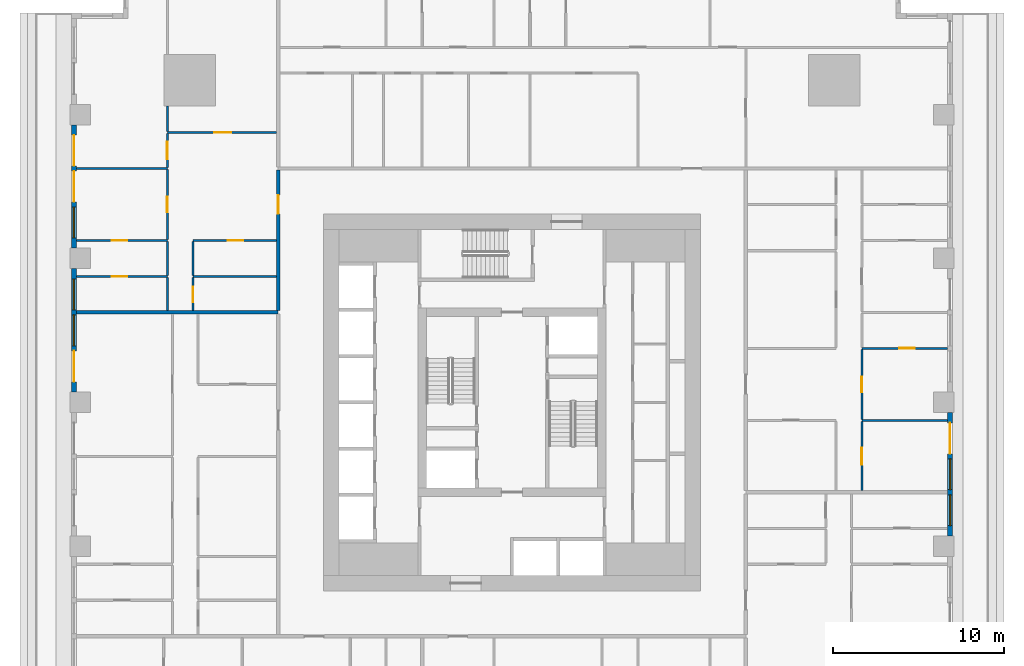
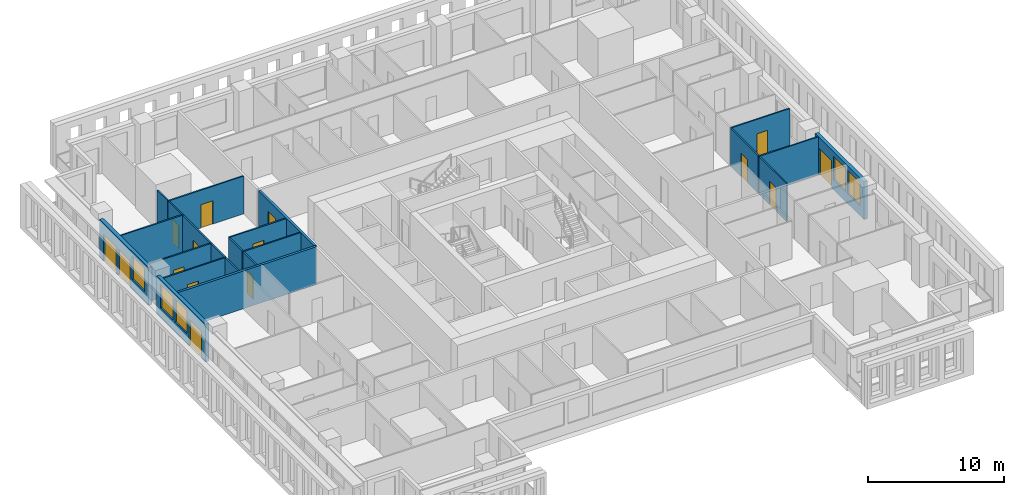
# One storey, part 6 of 14: 22 walls, 15 doors, 5 windows, 20 openings.
"""IFC4 building model written with IfcOpenShell, lengths in metres."""

from ifc_helpers import new_model, si_unit, direction, frame, frame_2d, origin, place, context, subcontext, project, spatial, rectangle, extrude, material, layer, layer_set, type_object, element, fill, save


model = new_model("IFC4")

# Units and contexts
model_context = context("Model", 3, precision=1e-05, world=origin(), true_north=direction((0.0, 1.0)))
body_context = subcontext(model_context, "Body", "Model", "MODEL_VIEW")
ifc_project = project(units=[si_unit("LENGTHUNIT", "METRE"), si_unit("AREAUNIT", "SQUARE_METRE"), si_unit("VOLUMEUNIT", "CUBIC_METRE"), si_unit("PLANEANGLEUNIT", "RADIAN"), si_unit("MASSUNIT", "GRAM", prefix="KILO")], contexts=[model_context])

# Site, building, storey
site_placement = place(None, origin())
site = spatial("IfcSite", under=ifc_project, at=site_placement, CompositionType="ELEMENT")
building_placement = place(site_placement, origin())
building = spatial("IfcBuilding", under=site, at=building_placement, Name="Khepri Terraces", CompositionType="ELEMENT")
storey_placement = place(building_placement, frame((0.0, 0.0, 69.89990234375)))
storey = spatial("IfcBuildingStorey", under=building, at=storey_placement, Name="L16", CompositionType="ELEMENT", Elevation=69.89990234375)

# Wall
ifc_material_1 = material(Name="Fire-rated gypsum plasterboard partition, mineral wool")
ifc_layer_1 = layer(ifc_material_1, 0.199951171875, Name="Fire-rated gypsum plasterboard partition, mineral wool")
ifc_layer_set_1 = layer_set([ifc_layer_1], Name="Fire-rated gypsum plasterboard partition, mineral wool")
wall_type_1 = type_object("IfcWallType", Name="WL-CORR-200", PredefinedType="PARTITIONING", material=ifc_layer_set_1)
wall_1_placement = place(storey_placement, frame((-25.419921875, 5.25, 0.0), z_axis=(0.0, 0.0, 1.0), x_axis=(1.0, 0.0, 0.0)))
element("IfcWall", 1, at=wall_1_placement, inside=storey, type_object=wall_type_1, Name="Partition P-057 L16", PredefinedType="PARTITIONING", context=body_context, shape_type="SweptSolid", body=[
    extrude(rectangle(XDim=11.77001953125, YDim=0.199951171875, at=frame_2d((5.885009765625, 0.0))), origin(), (0.0, 0.0, 1.0), 3.400146484375),
])

# Wall, opening, door
wall_2_placement = place(storey_placement, frame((-13.64990234375, 5.35009765625, 0.0), z_axis=(0.0, 0.0, 1.0), x_axis=(0.0, 1.0, 0.0)))
wall_2 = element("IfcWall", 2, at=wall_2_placement, inside=storey, type_object=wall_type_1, Name="Partition P-062 L16", PredefinedType="PARTITIONING", context=body_context, shape_type="SweptSolid", body=[
    extrude(rectangle(XDim=8.199951171875, YDim=0.199951171875, at=frame_2d((4.10009765625, 0.0))), origin(), (0.0, 0.0, 1.0), 3.400146484375),
])
opening_1_placement = place(wall_2_placement, frame((5.64990234375, 0.0, 0.0)))
opening_1 = element("IfcOpeningElement", 3, at=opening_1_placement, cuts=wall_2, Name="Opening D1", PredefinedType="OPENING", context=body_context, shape_type="SweptSolid", body=[
    extrude(rectangle(XDim=1.10009765625, YDim=2.39990234375, at=frame_2d((0.550048828125, 1.199951171875))), frame((0.0, 0.10986328125, 0.0), z_axis=(0.0, -1.0, 0.0), x_axis=(1.0, 0.0, 0.0)), (0.0, 0.0, 1.0), 0.219970703125),
])
ifc_material_2 = material(Name="Solid-core timber door leaf, flat entrance door", Category="wood")
door_type_1 = type_object("IfcDoorType", Name="DR-ENT-1100", OperationType="NOTDEFINED", PredefinedType="DOOR", material=ifc_material_2)
door_1_placement = place(opening_1_placement, origin())
door_1 = element("IfcDoor", 4, at=door_1_placement, inside=storey, type_object=door_type_1, Name="Flat D1 entrance door", OperationType="SINGLE_SWING_RIGHT", OverallHeight=2.39990234375, OverallWidth=1.10009765625, PredefinedType="DOOR", context=body_context, shape_type="SweptSolid", body=[
    extrude(rectangle(XDim=1.10009765625, YDim=2.39990234375, at=frame_2d((0.550048828125, 1.199951171875))), frame((0.0, 0.02490234375, 0.0), z_axis=(0.0, -1.0, 0.0), x_axis=(1.0, 0.0, 0.0)), (0.0, 0.0, 1.0), 0.050048828125),
])
fill(opening_1, door_1)

# Wall, openings, door, windows
ifc_material_3 = material(Name="Precast concrete C50/60 warm stone", Category="masonry")
ifc_layer_2 = layer(ifc_material_3, 0.300048828125, Name="Precast concrete C50/60 warm stone", Category="masonry")
ifc_layer_set_2 = layer_set([ifc_layer_2], Name="Precast concrete C50/60 warm stone")
wall_type_2 = type_object("IfcWallType", Name="WL-EXT-PRECAST-300", PredefinedType="STANDARD", material=ifc_layer_set_2)
wall_3_placement = place(storey_placement, frame((25.570068359375, -7.800048828125, 0.0), z_axis=(0.0, 0.0, 1.0), x_axis=(0.0, 1.0, 0.0)))
wall_3 = element("IfcWall", 5, at=wall_3_placement, inside=storey, type_object=wall_type_2, Name="External wall L16 E", PredefinedType="STANDARD", context=body_context, shape_type="SweptSolid", body=[
    extrude(rectangle(XDim=7.199951171875, YDim=0.300048828125, at=frame_2d((3.60009765625, 0.0))), origin(), (0.0, 0.0, 1.0), 3.400146484375),
])
opening_2_placement = place(wall_3_placement, frame((0.60009765625, 0.0, 0.89990234375)))
opening_2 = element("IfcOpeningElement", 6, at=opening_2_placement, cuts=wall_3, Name="Opening W1", PredefinedType="OPENING", context=body_context, shape_type="SweptSolid", body=[
    extrude(rectangle(XDim=1.800048828125, YDim=2.10009765625, at=frame_2d((0.89990234375, 1.050048828125))), frame((0.0, 0.16015625, 0.0), z_axis=(0.0, -1.0, 0.0), x_axis=(1.0, 0.0, 0.0)), (0.0, 0.0, 1.0), 0.320068359375),
])
opening_3_placement = place(wall_3_placement, frame((2.699951171875, 0.0, 0.89990234375)))
opening_3 = element("IfcOpeningElement", 7, at=opening_3_placement, cuts=wall_3, Name="Opening W1", PredefinedType="OPENING", context=body_context, shape_type="SweptSolid", body=[
    extrude(rectangle(XDim=1.800048828125, YDim=2.10009765625, at=frame_2d((0.89990234375, 1.050048828125))), frame((0.0, 0.16015625, 0.0), z_axis=(0.0, -1.0, 0.0), x_axis=(1.0, 0.0, 0.0)), (0.0, 0.0, 1.0), 0.320068359375),
])
opening_4_placement = place(wall_3_placement, frame((4.800048828125, 0.0, 0.0)))
opening_4 = element("IfcOpeningElement", 8, at=opening_4_placement, cuts=wall_3, Name="Opening ED-L16-04", PredefinedType="OPENING", context=body_context, shape_type="SweptSolid", body=[
    extrude(rectangle(XDim=1.800048828125, YDim=2.39990234375, at=frame_2d((0.89990234375, 1.199951171875))), frame((0.0, 0.16015625, 0.0), z_axis=(0.0, -1.0, 0.0), x_axis=(1.0, 0.0, 0.0)), (0.0, 0.0, 1.0), 0.320068359375),
])
ifc_material_4 = material(Name="Anodised aluminium bronze glazed door", Category="aluminium")
door_type_2 = type_object("IfcDoorType", Name="DR-BAL-SLIDE-1800x2400", OperationType="NOTDEFINED", PredefinedType="DOOR", material=ifc_material_4)
door_2_placement = place(opening_4_placement, origin())
door_2 = element("IfcDoor", 9, at=door_2_placement, inside=storey, type_object=door_type_2, Name="Balcony door L16 E", OperationType="SLIDING_TO_RIGHT", OverallHeight=2.39990234375, OverallWidth=1.800048828125, PredefinedType="DOOR", context=body_context, shape_type="SweptSolid", body=[
    extrude(rectangle(XDim=1.800048828125, YDim=2.39990234375, at=frame_2d((0.89990234375, 1.199951171875))), frame((0.0, 0.02490234375, 0.0), z_axis=(0.0, -1.0, 0.0), x_axis=(1.0, 0.0, 0.0)), (0.0, 0.0, 1.0), 0.050048828125),
])
fill(opening_4, door_2)
ifc_material_5 = material(Name="Clear glass", Category="glass")
window_type = type_object("IfcWindowType", Name="WIN-RES-1800x2100", PartitioningType="SINGLE_PANEL", PredefinedType="WINDOW", material=ifc_material_5)
window_1_placement = place(opening_2_placement, origin())
window_1 = element("IfcWindow", 10, at=window_1_placement, inside=storey, type_object=window_type, Name="Window L16 E", OverallHeight=2.10009765625, OverallWidth=1.800048828125, PartitioningType="SINGLE_PANEL", PredefinedType="WINDOW", context=body_context, shape_type="SweptSolid", body=[
    extrude(rectangle(XDim=1.800048828125, YDim=2.10009765625, at=frame_2d((0.89990234375, 1.050048828125))), frame((0.0, 0.030029296875, 0.0), z_axis=(0.0, -1.0, 0.0), x_axis=(1.0, 0.0, 0.0)), (0.0, 0.0, 1.0), 0.06005859375),
])
fill(opening_2, window_1)
window_2_placement = place(opening_3_placement, origin())
window_2 = element("IfcWindow", 11, at=window_2_placement, inside=storey, type_object=window_type, Name="Window L16 E", OverallHeight=2.10009765625, OverallWidth=1.800048828125, PartitioningType="SINGLE_PANEL", PredefinedType="WINDOW", context=body_context, shape_type="SweptSolid", body=[
    extrude(rectangle(XDim=1.800048828125, YDim=2.10009765625, at=frame_2d((0.89990234375, 1.050048828125))), frame((0.0, 0.030029296875, 0.0), z_axis=(0.0, -1.0, 0.0), x_axis=(1.0, 0.0, 0.0)), (0.0, 0.0, 1.0), 0.06005859375),
])
fill(opening_3, window_2)

# Wall, openings, doors, window
wall_4_placement = place(storey_placement, frame((-25.570068359375, 16.199951171875, 0.0), z_axis=(0.0, 0.0, 1.0), x_axis=(0.0, -1.0, 0.0)))
wall_4 = element("IfcWall", 12, at=wall_4_placement, inside=storey, type_object=wall_type_2, Name="External wall L16 W", PredefinedType="STANDARD", context=body_context, shape_type="SweptSolid", body=[
    extrude(rectangle(XDim=7.199951171875, YDim=0.300048828125, at=frame_2d((3.60009765625, 0.0))), origin(), (0.0, 0.0, 1.0), 3.400146484375),
])
opening_5_placement = place(wall_4_placement, frame((0.60009765625, 0.0, 0.0)))
opening_5 = element("IfcOpeningElement", 13, at=opening_5_placement, cuts=wall_4, Name="Opening ED-L16-13", PredefinedType="OPENING", context=body_context, shape_type="SweptSolid", body=[
    extrude(rectangle(XDim=1.800048828125, YDim=2.39990234375, at=frame_2d((0.89990234375, 1.199951171875))), frame((0.0, 0.16015625, 0.0), z_axis=(0.0, -1.0, 0.0), x_axis=(1.0, 0.0, 0.0)), (0.0, 0.0, 1.0), 0.320068359375),
])
opening_6_placement = place(wall_4_placement, frame((2.699951171875, 0.0, 0.0)))
opening_6 = element("IfcOpeningElement", 14, at=opening_6_placement, cuts=wall_4, Name="Opening ED-L16-14", PredefinedType="OPENING", context=body_context, shape_type="SweptSolid", body=[
    extrude(rectangle(XDim=1.800048828125, YDim=2.39990234375, at=frame_2d((0.89990234375, 1.199951171875))), frame((0.0, 0.16015625, 0.0), z_axis=(0.0, -1.0, 0.0), x_axis=(1.0, 0.0, 0.0)), (0.0, 0.0, 1.0), 0.320068359375),
])
opening_7_placement = place(wall_4_placement, frame((4.800048828125, 0.0, 0.89990234375)))
opening_7 = element("IfcOpeningElement", 15, at=opening_7_placement, cuts=wall_4, Name="Opening W1", PredefinedType="OPENING", context=body_context, shape_type="SweptSolid", body=[
    extrude(rectangle(XDim=1.800048828125, YDim=2.10009765625, at=frame_2d((0.89990234375, 1.050048828125))), frame((0.0, 0.16015625, 0.0), z_axis=(0.0, -1.0, 0.0), x_axis=(1.0, 0.0, 0.0)), (0.0, 0.0, 1.0), 0.320068359375),
])
door_3_placement = place(opening_5_placement, origin())
door_3 = element("IfcDoor", 16, at=door_3_placement, inside=storey, type_object=door_type_2, Name="Balcony door L16 W", OperationType="SLIDING_TO_LEFT", OverallHeight=2.39990234375, OverallWidth=1.800048828125, PredefinedType="DOOR", context=body_context, shape_type="SweptSolid", body=[
    extrude(rectangle(XDim=1.800048828125, YDim=2.39990234375, at=frame_2d((0.89990234375, 1.199951171875))), frame((0.0, 0.02490234375, 0.0), z_axis=(0.0, -1.0, 0.0), x_axis=(1.0, 0.0, 0.0)), (0.0, 0.0, 1.0), 0.050048828125),
])
fill(opening_5, door_3)
door_4_placement = place(opening_6_placement, origin())
door_4 = element("IfcDoor", 17, at=door_4_placement, inside=storey, type_object=door_type_2, Name="Balcony door L16 W", OperationType="SLIDING_TO_RIGHT", OverallHeight=2.39990234375, OverallWidth=1.800048828125, PredefinedType="DOOR", context=body_context, shape_type="SweptSolid", body=[
    extrude(rectangle(XDim=1.800048828125, YDim=2.39990234375, at=frame_2d((0.89990234375, 1.199951171875))), frame((0.0, 0.02490234375, 0.0), z_axis=(0.0, -1.0, 0.0), x_axis=(1.0, 0.0, 0.0)), (0.0, 0.0, 1.0), 0.050048828125),
])
fill(opening_6, door_4)
window_3_placement = place(opening_7_placement, origin())
window_3 = element("IfcWindow", 18, at=window_3_placement, inside=storey, type_object=window_type, Name="Window L16 W", OverallHeight=2.10009765625, OverallWidth=1.800048828125, PartitioningType="SINGLE_PANEL", PredefinedType="WINDOW", context=body_context, shape_type="SweptSolid", body=[
    extrude(rectangle(XDim=1.800048828125, YDim=2.10009765625, at=frame_2d((0.89990234375, 1.050048828125))), frame((0.0, 0.030029296875, 0.0), z_axis=(0.0, -1.0, 0.0), x_axis=(1.0, 0.0, 0.0)), (0.0, 0.0, 1.0), 0.06005859375),
])
fill(opening_7, window_3)

# Wall, openings, door, windows
wall_5_placement = place(storey_placement, frame((-25.570068359375, 7.800048828125, 0.0), z_axis=(0.0, 0.0, 1.0), x_axis=(0.0, -1.0, 0.0)))
wall_5 = element("IfcWall", 19, at=wall_5_placement, inside=storey, type_object=wall_type_2, Name="External wall L16 W", PredefinedType="STANDARD", context=body_context, shape_type="SweptSolid", body=[
    extrude(rectangle(XDim=7.199951171875, YDim=0.300048828125, at=frame_2d((3.60009765625, 0.0))), origin(), (0.0, 0.0, 1.0), 3.400146484375),
])
opening_8_placement = place(wall_5_placement, frame((0.60009765625, 0.0, 0.89990234375)))
opening_8 = element("IfcOpeningElement", 20, at=opening_8_placement, cuts=wall_5, Name="Opening W1", PredefinedType="OPENING", context=body_context, shape_type="SweptSolid", body=[
    extrude(rectangle(XDim=1.800048828125, YDim=2.10009765625, at=frame_2d((0.89990234375, 1.050048828125))), frame((0.0, 0.16015625, 0.0), z_axis=(0.0, -1.0, 0.0), x_axis=(1.0, 0.0, 0.0)), (0.0, 0.0, 1.0), 0.320068359375),
])
opening_9_placement = place(wall_5_placement, frame((2.699951171875, 0.0, 0.89990234375)))
opening_9 = element("IfcOpeningElement", 21, at=opening_9_placement, cuts=wall_5, Name="Opening W1", PredefinedType="OPENING", context=body_context, shape_type="SweptSolid", body=[
    extrude(rectangle(XDim=1.800048828125, YDim=2.10009765625, at=frame_2d((0.89990234375, 1.050048828125))), frame((0.0, 0.16015625, 0.0), z_axis=(0.0, -1.0, 0.0), x_axis=(1.0, 0.0, 0.0)), (0.0, 0.0, 1.0), 0.320068359375),
])
opening_10_placement = place(wall_5_placement, frame((4.800048828125, 0.0, 0.0)))
opening_10 = element("IfcOpeningElement", 22, at=opening_10_placement, cuts=wall_5, Name="Opening ED-L16-15", PredefinedType="OPENING", context=body_context, shape_type="SweptSolid", body=[
    extrude(rectangle(XDim=1.800048828125, YDim=2.39990234375, at=frame_2d((0.89990234375, 1.199951171875))), frame((0.0, 0.16015625, 0.0), z_axis=(0.0, -1.0, 0.0), x_axis=(1.0, 0.0, 0.0)), (0.0, 0.0, 1.0), 0.320068359375),
])
door_5_placement = place(opening_10_placement, origin())
door_5 = element("IfcDoor", 23, at=door_5_placement, inside=storey, type_object=door_type_2, Name="Balcony door L16 W", OperationType="SLIDING_TO_RIGHT", OverallHeight=2.39990234375, OverallWidth=1.800048828125, PredefinedType="DOOR", context=body_context, shape_type="SweptSolid", body=[
    extrude(rectangle(XDim=1.800048828125, YDim=2.39990234375, at=frame_2d((0.89990234375, 1.199951171875))), frame((0.0, 0.02490234375, 0.0), z_axis=(0.0, -1.0, 0.0), x_axis=(1.0, 0.0, 0.0)), (0.0, 0.0, 1.0), 0.050048828125),
])
fill(opening_10, door_5)
window_4_placement = place(opening_8_placement, origin())
window_4 = element("IfcWindow", 24, at=window_4_placement, inside=storey, type_object=window_type, Name="Window L16 W", OverallHeight=2.10009765625, OverallWidth=1.800048828125, PartitioningType="SINGLE_PANEL", PredefinedType="WINDOW", context=body_context, shape_type="SweptSolid", body=[
    extrude(rectangle(XDim=1.800048828125, YDim=2.10009765625, at=frame_2d((0.89990234375, 1.050048828125))), frame((0.0, 0.030029296875, 0.0), z_axis=(0.0, -1.0, 0.0), x_axis=(1.0, 0.0, 0.0)), (0.0, 0.0, 1.0), 0.06005859375),
])
fill(opening_8, window_4)
window_5_placement = place(opening_9_placement, origin())
window_5 = element("IfcWindow", 25, at=window_5_placement, inside=storey, type_object=window_type, Name="Window L16 W", OverallHeight=2.10009765625, OverallWidth=1.800048828125, PartitioningType="SINGLE_PANEL", PredefinedType="WINDOW", context=body_context, shape_type="SweptSolid", body=[
    extrude(rectangle(XDim=1.800048828125, YDim=2.10009765625, at=frame_2d((0.89990234375, 1.050048828125))), frame((0.0, 0.030029296875, 0.0), z_axis=(0.0, -1.0, 0.0), x_axis=(1.0, 0.0, 0.0)), (0.0, 0.0, 1.0), 0.06005859375),
])
fill(opening_9, window_5)

# Wall, opening, door
ifc_material_6 = material(Name="Gypsum plasterboard partition")
ifc_layer_3 = layer(ifc_material_6, 0.1201171875, Name="Gypsum plasterboard partition")
ifc_layer_set_3 = layer_set([ifc_layer_3], Name="Gypsum plasterboard partition")
wall_type_3 = type_object("IfcWallType", Name="WL-PART-120", PredefinedType="PARTITIONING", material=ifc_layer_set_3)
wall_6_placement = place(storey_placement, frame((20.419921875, -5.14990234375, 0.0), z_axis=(0.0, 0.0, 1.0), x_axis=(0.0, 1.0, 0.0)))
wall_6 = element("IfcWall", 26, at=wall_6_placement, inside=storey, type_object=wall_type_3, Name="Partition P-044 L16", PredefinedType="PARTITIONING", context=body_context, shape_type="SweptSolid", body=[
    extrude(rectangle(XDim=4.039794921875, YDim=0.1201171875, at=frame_2d((2.02001953125, 0.0))), origin(), (0.0, 0.0, 1.0), 3.400146484375),
])
opening_11_placement = place(wall_6_placement, frame((1.5, 0.0, 0.0)))
opening_11 = element("IfcOpeningElement", 27, at=opening_11_placement, cuts=wall_6, Name="Opening D2", PredefinedType="OPENING", context=body_context, shape_type="SweptSolid", body=[
    extrude(rectangle(XDim=1.0, YDim=2.10009765625, at=frame_2d((0.5, 1.050048828125))), frame((0.0, 0.070068359375, 0.0), z_axis=(0.0, -1.0, 0.0), x_axis=(1.0, 0.0, 0.0)), (0.0, 0.0, 1.0), 0.14013671875),
])
ifc_material_7 = material(Name="Timber door leaf, living room door", Category="wood")
door_type_3 = type_object("IfcDoorType", Name="DR-INT-1000", OperationType="NOTDEFINED", PredefinedType="DOOR", material=ifc_material_7)
door_6_placement = place(opening_11_placement, frame((1.0, 0.0, 0.0), z_axis=(0.0, 0.0, 1.0), x_axis=(-1.0, 0.0, 0.0)))
door_6 = element("IfcDoor", 28, at=door_6_placement, inside=storey, type_object=door_type_3, Name="Door Living Room", OperationType="SINGLE_SWING_RIGHT", OverallHeight=2.10009765625, OverallWidth=1.0, PredefinedType="DOOR", context=body_context, shape_type="SweptSolid", body=[
    extrude(rectangle(XDim=1.0, YDim=2.10009765625, at=frame_2d((0.5, 1.050048828125))), frame((0.0, 0.02490234375, 0.0), z_axis=(0.0, -1.0, 0.0), x_axis=(1.0, 0.0, 0.0)), (0.0, 0.0, 1.0), 0.050048828125),
])
fill(opening_11, door_6)

# Wall
wall_7_placement = place(storey_placement, frame((20.419921875, -1.050048828125, 0.0), z_axis=(0.0, 0.0, 1.0), x_axis=(1.0, 0.0, 0.0)))
element("IfcWall", 29, at=wall_7_placement, inside=storey, type_object=wall_type_3, Name="Partition P-049 L16", PredefinedType="PARTITIONING", context=body_context, shape_type="SweptSolid", body=[
    extrude(rectangle(XDim=5.0, YDim=0.1201171875, at=frame_2d((2.5, 0.0))), origin(), (0.0, 0.0, 1.0), 3.400146484375),
])

# Wall, opening, door
wall_8_placement = place(storey_placement, frame((20.419921875, -0.989990234375, 0.0), z_axis=(0.0, 0.0, 1.0), x_axis=(0.0, 1.0, 0.0)))
wall_8 = element("IfcWall", 30, at=wall_8_placement, inside=storey, type_object=wall_type_3, Name="Partition P-050 L16", PredefinedType="PARTITIONING", context=body_context, shape_type="SweptSolid", body=[
    extrude(rectangle(XDim=4.080078125, YDim=0.1201171875, at=frame_2d((2.0400390625, 0.0))), origin(), (0.0, 0.0, 1.0), 3.400146484375),
])
opening_12_placement = place(wall_8_placement, frame((1.590087890625, 0.0, 0.0)))
opening_12 = element("IfcOpeningElement", 31, at=opening_12_placement, cuts=wall_8, Name="Opening D3", PredefinedType="OPENING", context=body_context, shape_type="SweptSolid", body=[
    extrude(rectangle(XDim=0.89990234375, YDim=2.10009765625, at=frame_2d((0.449951171875, 1.050048828125))), frame((0.0, 0.070068359375, 0.0), z_axis=(0.0, -1.0, 0.0), x_axis=(1.0, 0.0, 0.0)), (0.0, 0.0, 1.0), 0.14013671875),
])
ifc_material_8 = material(Name="Timber door leaf", Category="wood")
door_type_4 = type_object("IfcDoorType", Name="DR-INT-900", OperationType="NOTDEFINED", PredefinedType="DOOR", material=ifc_material_8)
door_7_placement = place(opening_12_placement, frame((0.89990234375, 0.0, 0.0), z_axis=(0.0, 0.0, 1.0), x_axis=(-1.0, 0.0, 0.0)))
door_7 = element("IfcDoor", 32, at=door_7_placement, inside=storey, type_object=door_type_4, Name="Door Bedroom", OperationType="SINGLE_SWING_LEFT", OverallHeight=2.10009765625, OverallWidth=0.89990234375, PredefinedType="DOOR", context=body_context, shape_type="SweptSolid", body=[
    extrude(rectangle(XDim=0.89990234375, YDim=2.10009765625, at=frame_2d((0.449951171875, 1.050048828125))), frame((0.0, 0.02490234375, 0.0), z_axis=(0.0, -1.0, 0.0), x_axis=(1.0, 0.0, 0.0)), (0.0, 0.0, 1.0), 0.050048828125),
])
fill(opening_12, door_7)

wall_9_placement = place(storey_placement, frame((20.419921875, 3.14990234375, 0.0), z_axis=(0.0, 0.0, 1.0), x_axis=(1.0, 0.0, 0.0)))
wall_9 = element("IfcWall", 33, at=wall_9_placement, inside=storey, type_object=wall_type_3, Name="Partition P-054 L16", PredefinedType="PARTITIONING", context=body_context, shape_type="SweptSolid", body=[
    extrude(rectangle(XDim=5.0, YDim=0.1201171875, at=frame_2d((2.5, 0.0))), origin(), (0.0, 0.0, 1.0), 3.400146484375),
])
opening_13_placement = place(wall_9_placement, frame((2.199951171875, 0.0, 0.0)))
opening_13 = element("IfcOpeningElement", 34, at=opening_13_placement, cuts=wall_9, Name="Opening D4", PredefinedType="OPENING", context=body_context, shape_type="SweptSolid", body=[
    extrude(rectangle(XDim=0.89990234375, YDim=2.10009765625, at=frame_2d((0.449951171875, 1.050048828125))), frame((0.0, 0.070068359375, 0.0), z_axis=(0.0, -1.0, 0.0), x_axis=(1.0, 0.0, 0.0)), (0.0, 0.0, 1.0), 0.14013671875),
])
ifc_material_9 = material(Name="Timber door leaf, moisture resistant", Category="wood")
door_type_5 = type_object("IfcDoorType", Name="DR-WET-900", OperationType="NOTDEFINED", PredefinedType="DOOR", material=ifc_material_9)
door_8_placement = place(opening_13_placement, origin())
door_8 = element("IfcDoor", 35, at=door_8_placement, inside=storey, type_object=door_type_5, Name="Door Bathroom", OperationType="SINGLE_SWING_RIGHT", OverallHeight=2.10009765625, OverallWidth=0.89990234375, PredefinedType="DOOR", context=body_context, shape_type="SweptSolid", body=[
    extrude(rectangle(XDim=0.89990234375, YDim=2.10009765625, at=frame_2d((0.449951171875, 1.050048828125))), frame((0.0, 0.02490234375, 0.0), z_axis=(0.0, -1.0, 0.0), x_axis=(1.0, 0.0, 0.0)), (0.0, 0.0, 1.0), 0.050048828125),
])
fill(opening_13, door_8)

# Wall
wall_10_placement = place(storey_placement, frame((-20.1201171875, 5.35009765625, 0.0), z_axis=(0.0, 0.0, 1.0), x_axis=(0.0, 1.0, 0.0)))
element("IfcWall", 36, at=wall_10_placement, inside=storey, type_object=wall_type_3, Name="Partition P-060 L16", PredefinedType="PARTITIONING", context=body_context, shape_type="SweptSolid", body=[
    extrude(rectangle(XDim=1.93994140625, YDim=0.1201171875, at=frame_2d((0.969970703125, 0.0))), origin(), (0.0, 0.0, 1.0), 3.400146484375),
])

# Wall, opening, door
wall_11_placement = place(storey_placement, frame((-18.6201171875, 5.35009765625, 0.0), z_axis=(0.0, 0.0, 1.0), x_axis=(0.0, 1.0, 0.0)))
wall_11 = element("IfcWall", 37, at=wall_11_placement, inside=storey, type_object=wall_type_3, Name="Partition P-061 L16", PredefinedType="PARTITIONING", context=body_context, shape_type="SweptSolid", body=[
    extrude(rectangle(XDim=1.93994140625, YDim=0.1201171875, at=frame_2d((0.969970703125, 0.0))), origin(), (0.0, 0.0, 1.0), 3.400146484375),
])
opening_14_placement = place(wall_11_placement, frame((0.5, 0.0, 0.0)))
opening_14 = element("IfcOpeningElement", 38, at=opening_14_placement, cuts=wall_11, Name="Opening D3", PredefinedType="OPENING", context=body_context, shape_type="SweptSolid", body=[
    extrude(rectangle(XDim=0.89990234375, YDim=2.10009765625, at=frame_2d((0.449951171875, 1.050048828125))), frame((0.0, 0.070068359375, 0.0), z_axis=(0.0, -1.0, 0.0), x_axis=(1.0, 0.0, 0.0)), (0.0, 0.0, 1.0), 0.14013671875),
])
door_9_placement = place(opening_14_placement, frame((0.89990234375, 0.0, 0.0), z_axis=(0.0, 0.0, 1.0), x_axis=(-1.0, 0.0, 0.0)))
door_9 = element("IfcDoor", 39, at=door_9_placement, inside=storey, type_object=door_type_4, Name="Door Kitchen", OperationType="SINGLE_SWING_RIGHT", OverallHeight=2.10009765625, OverallWidth=0.89990234375, PredefinedType="DOOR", context=body_context, shape_type="SweptSolid", body=[
    extrude(rectangle(XDim=0.89990234375, YDim=2.10009765625, at=frame_2d((0.449951171875, 1.050048828125))), frame((0.0, 0.02490234375, 0.0), z_axis=(0.0, -1.0, 0.0), x_axis=(1.0, 0.0, 0.0)), (0.0, 0.0, 1.0), 0.050048828125),
])
fill(opening_14, door_9)

wall_12_placement = place(storey_placement, frame((-25.419921875, 7.35009765625, 0.0), z_axis=(0.0, 0.0, 1.0), x_axis=(1.0, 0.0, 0.0)))
wall_12 = element("IfcWall", 40, at=wall_12_placement, inside=storey, type_object=wall_type_3, Name="Partition P-063 L16", PredefinedType="PARTITIONING", context=body_context, shape_type="SweptSolid", body=[
    extrude(rectangle(XDim=5.2998046875, YDim=0.1201171875, at=frame_2d((2.64990234375, 0.0))), origin(), (0.0, 0.0, 1.0), 3.400146484375),
])
opening_15_placement = place(wall_12_placement, frame((2.050048828125, 0.0, 0.0)))
opening_15 = element("IfcOpeningElement", 41, at=opening_15_placement, cuts=wall_12, Name="Opening D4", PredefinedType="OPENING", context=body_context, shape_type="SweptSolid", body=[
    extrude(rectangle(XDim=0.89990234375, YDim=2.10009765625, at=frame_2d((0.449951171875, 1.050048828125))), frame((0.0, 0.070068359375, 0.0), z_axis=(0.0, -1.0, 0.0), x_axis=(1.0, 0.0, 0.0)), (0.0, 0.0, 1.0), 0.14013671875),
])
door_10_placement = place(opening_15_placement, frame((0.89990234375, 0.0, 0.0), z_axis=(0.0, 0.0, 1.0), x_axis=(-1.0, 0.0, 0.0)))
door_10 = element("IfcDoor", 42, at=door_10_placement, inside=storey, type_object=door_type_5, Name="Door Bathroom", OperationType="SINGLE_SWING_RIGHT", OverallHeight=2.10009765625, OverallWidth=0.89990234375, PredefinedType="DOOR", context=body_context, shape_type="SweptSolid", body=[
    extrude(rectangle(XDim=0.89990234375, YDim=2.10009765625, at=frame_2d((0.449951171875, 1.050048828125))), frame((0.0, 0.02490234375, 0.0), z_axis=(0.0, -1.0, 0.0), x_axis=(1.0, 0.0, 0.0)), (0.0, 0.0, 1.0), 0.050048828125),
])
fill(opening_15, door_10)

# Walls
wall_13_placement = place(storey_placement, frame((-18.6201171875, 7.35009765625, 0.0), z_axis=(0.0, 0.0, 1.0), x_axis=(1.0, 0.0, 0.0)))
element("IfcWall", 43, at=wall_13_placement, inside=storey, type_object=wall_type_3, Name="Partition P-064 L16", PredefinedType="PARTITIONING", context=body_context, shape_type="SweptSolid", body=[
    extrude(rectangle(XDim=4.8701171875, YDim=0.1201171875, at=frame_2d((2.43505859375, 0.0))), origin(), (0.0, 0.0, 1.0), 3.400146484375),
])
for number, where, z_axis, x_axis, name in (
    (44, (-20.1201171875, 7.409912109375, 0.0), (0.0, 0.0, 1.0), (0.0, 1.0, 0.0), "Partition P-065 L16"),
    (45, (-18.6201171875, 7.409912109375, 0.0), (0.0, 0.0, 1.0), (0.0, 1.0, 0.0), "Partition P-066 L16"),
):
    element("IfcWall", number, at=place(storey_placement, frame(where, z_axis=z_axis, x_axis=x_axis)), inside=storey, type_object=wall_type_3, Name=name, PredefinedType="PARTITIONING", context=body_context, shape_type="SweptSolid", body=[
        extrude(rectangle(XDim=1.97998046875, YDim=0.1201171875, at=frame_2d((0.989990234375, 0.0))), origin(), (0.0, 0.0, 1.0), 3.400146484375),
    ])

# Wall, opening, door
wall_14_placement = place(storey_placement, frame((-25.419921875, 9.449951171875, 0.0), z_axis=(0.0, 0.0, 1.0), x_axis=(1.0, 0.0, 0.0)))
wall_14 = element("IfcWall", 46, at=wall_14_placement, inside=storey, type_object=wall_type_3, Name="Partition P-069 L16", PredefinedType="PARTITIONING", context=body_context, shape_type="SweptSolid", body=[
    extrude(rectangle(XDim=5.2998046875, YDim=0.1201171875, at=frame_2d((2.64990234375, 0.0))), origin(), (0.0, 0.0, 1.0), 3.400146484375),
])
opening_16_placement = place(wall_14_placement, frame((2.050048828125, 0.0, 0.0)))
opening_16 = element("IfcOpeningElement", 47, at=opening_16_placement, cuts=wall_14, Name="Opening D3", PredefinedType="OPENING", context=body_context, shape_type="SweptSolid", body=[
    extrude(rectangle(XDim=0.89990234375, YDim=2.10009765625, at=frame_2d((0.449951171875, 1.050048828125))), frame((0.0, 0.070068359375, 0.0), z_axis=(0.0, -1.0, 0.0), x_axis=(1.0, 0.0, 0.0)), (0.0, 0.0, 1.0), 0.14013671875),
])
door_11_placement = place(opening_16_placement, frame((0.89990234375, 0.0, 0.0), z_axis=(0.0, 0.0, 1.0), x_axis=(-1.0, 0.0, 0.0)))
door_11 = element("IfcDoor", 48, at=door_11_placement, inside=storey, type_object=door_type_4, Name="Door Dressing Room", OperationType="SINGLE_SWING_RIGHT", OverallHeight=2.10009765625, OverallWidth=0.89990234375, PredefinedType="DOOR", context=body_context, shape_type="SweptSolid", body=[
    extrude(rectangle(XDim=0.89990234375, YDim=2.10009765625, at=frame_2d((0.449951171875, 1.050048828125))), frame((0.0, 0.02490234375, 0.0), z_axis=(0.0, -1.0, 0.0), x_axis=(1.0, 0.0, 0.0)), (0.0, 0.0, 1.0), 0.050048828125),
])
fill(opening_16, door_11)

wall_15_placement = place(storey_placement, frame((-18.6201171875, 9.449951171875, 0.0), z_axis=(0.0, 0.0, 1.0), x_axis=(1.0, 0.0, 0.0)))
wall_15 = element("IfcWall", 49, at=wall_15_placement, inside=storey, type_object=wall_type_3, Name="Partition P-070 L16", PredefinedType="PARTITIONING", context=body_context, shape_type="SweptSolid", body=[
    extrude(rectangle(XDim=4.8701171875, YDim=0.1201171875, at=frame_2d((2.43505859375, 0.0))), origin(), (0.0, 0.0, 1.0), 3.400146484375),
])
opening_17_placement = place(wall_15_placement, frame((2.034912109375, 0.0, 0.0)))
opening_17 = element("IfcOpeningElement", 50, at=opening_17_placement, cuts=wall_15, Name="Opening D4", PredefinedType="OPENING", context=body_context, shape_type="SweptSolid", body=[
    extrude(rectangle(XDim=0.89990234375, YDim=2.10009765625, at=frame_2d((0.449951171875, 1.050048828125))), frame((0.0, 0.070068359375, 0.0), z_axis=(0.0, -1.0, 0.0), x_axis=(1.0, 0.0, 0.0)), (0.0, 0.0, 1.0), 0.14013671875),
])
door_12_placement = place(opening_17_placement, frame((0.89990234375, 0.0, 0.0), z_axis=(0.0, 0.0, 1.0), x_axis=(-1.0, 0.0, 0.0)))
door_12 = element("IfcDoor", 51, at=door_12_placement, inside=storey, type_object=door_type_5, Name="Door Guest Bathroom", OperationType="SINGLE_SWING_LEFT", OverallHeight=2.10009765625, OverallWidth=0.89990234375, PredefinedType="DOOR", context=body_context, shape_type="SweptSolid", body=[
    extrude(rectangle(XDim=0.89990234375, YDim=2.10009765625, at=frame_2d((0.449951171875, 1.050048828125))), frame((0.0, 0.02490234375, 0.0), z_axis=(0.0, -1.0, 0.0), x_axis=(1.0, 0.0, 0.0)), (0.0, 0.0, 1.0), 0.050048828125),
])
fill(opening_17, door_12)

wall_16_placement = place(storey_placement, frame((-20.1201171875, 9.510009765625, 0.0), z_axis=(0.0, 0.0, 1.0), x_axis=(0.0, 1.0, 0.0)))
wall_16 = element("IfcWall", 52, at=wall_16_placement, inside=storey, type_object=wall_type_3, Name="Partition P-072 L16", PredefinedType="PARTITIONING", context=body_context, shape_type="SweptSolid", body=[
    extrude(rectangle(XDim=4.080078125, YDim=0.1201171875, at=frame_2d((2.0400390625, 0.0))), origin(), (0.0, 0.0, 1.0), 3.400146484375),
])
opening_18_placement = place(wall_16_placement, frame((1.590087890625, 0.0, 0.0)))
opening_18 = element("IfcOpeningElement", 53, at=opening_18_placement, cuts=wall_16, Name="Opening D3", PredefinedType="OPENING", context=body_context, shape_type="SweptSolid", body=[
    extrude(rectangle(XDim=0.89990234375, YDim=2.10009765625, at=frame_2d((0.449951171875, 1.050048828125))), frame((0.0, 0.070068359375, 0.0), z_axis=(0.0, -1.0, 0.0), x_axis=(1.0, 0.0, 0.0)), (0.0, 0.0, 1.0), 0.14013671875),
])
door_13_placement = place(opening_18_placement, origin())
door_13 = element("IfcDoor", 54, at=door_13_placement, inside=storey, type_object=door_type_4, Name="Door Master Bedroom", OperationType="SINGLE_SWING_RIGHT", OverallHeight=2.10009765625, OverallWidth=0.89990234375, PredefinedType="DOOR", context=body_context, shape_type="SweptSolid", body=[
    extrude(rectangle(XDim=0.89990234375, YDim=2.10009765625, at=frame_2d((0.449951171875, 1.050048828125))), frame((0.0, 0.02490234375, 0.0), z_axis=(0.0, -1.0, 0.0), x_axis=(1.0, 0.0, 0.0)), (0.0, 0.0, 1.0), 0.050048828125),
])
fill(opening_18, door_13)

# Wall
wall_17_placement = place(storey_placement, frame((-25.419921875, 13.64990234375, 0.0), z_axis=(0.0, 0.0, 1.0), x_axis=(1.0, 0.0, 0.0)))
element("IfcWall", 55, at=wall_17_placement, inside=storey, type_object=wall_type_3, Name="Partition P-078 L16", PredefinedType="PARTITIONING", context=body_context, shape_type="SweptSolid", body=[
    extrude(rectangle(XDim=5.2998046875, YDim=0.1201171875, at=frame_2d((2.64990234375, 0.0))), origin(), (0.0, 0.0, 1.0), 3.400146484375),
])

# Wall, opening, door
wall_18_placement = place(storey_placement, frame((-20.1201171875, 13.7099609375, 0.0), z_axis=(0.0, 0.0, 1.0), x_axis=(0.0, 1.0, 0.0)))
wall_18 = element("IfcWall", 56, at=wall_18_placement, inside=storey, type_object=wall_type_3, Name="Partition P-080 L16", PredefinedType="PARTITIONING", context=body_context, shape_type="SweptSolid", body=[
    extrude(rectangle(XDim=1.97998046875, YDim=0.1201171875, at=frame_2d((0.989990234375, 0.0))), origin(), (0.0, 0.0, 1.0), 3.400146484375),
])
opening_19_placement = place(wall_18_placement, frame((0.489990234375, 0.0, 0.0)))
opening_19 = element("IfcOpeningElement", 57, at=opening_19_placement, cuts=wall_18, Name="Opening D2", PredefinedType="OPENING", context=body_context, shape_type="SweptSolid", body=[
    extrude(rectangle(XDim=1.0, YDim=2.10009765625, at=frame_2d((0.5, 1.050048828125))), frame((0.0, 0.070068359375, 0.0), z_axis=(0.0, -1.0, 0.0), x_axis=(1.0, 0.0, 0.0)), (0.0, 0.0, 1.0), 0.14013671875),
])
door_14_placement = place(opening_19_placement, origin())
door_14 = element("IfcDoor", 58, at=door_14_placement, inside=storey, type_object=door_type_3, Name="Door Living Room", OperationType="SINGLE_SWING_LEFT", OverallHeight=2.10009765625, OverallWidth=1.0, PredefinedType="DOOR", context=body_context, shape_type="SweptSolid", body=[
    extrude(rectangle(XDim=1.0, YDim=2.10009765625, at=frame_2d((0.5, 1.050048828125))), frame((0.0, 0.02490234375, 0.0), z_axis=(0.0, -1.0, 0.0), x_axis=(1.0, 0.0, 0.0)), (0.0, 0.0, 1.0), 0.050048828125),
])
fill(opening_19, door_14)

wall_19_placement = place(storey_placement, frame((-20.1201171875, 15.75, 0.0), z_axis=(0.0, 0.0, 1.0), x_axis=(1.0, 0.0, 0.0)))
wall_19 = element("IfcWall", 59, at=wall_19_placement, inside=storey, type_object=wall_type_3, Name="Partition P-089 L16", PredefinedType="PARTITIONING", context=body_context, shape_type="SweptSolid", body=[
    extrude(rectangle(XDim=6.3701171875, YDim=0.1201171875, at=frame_2d((3.18505859375, 0.0))), origin(), (0.0, 0.0, 1.0), 3.400146484375),
])
opening_20_placement = place(wall_19_placement, frame((2.735107421875, 0.0, 0.0)))
opening_20 = element("IfcOpeningElement", 60, at=opening_20_placement, cuts=wall_19, Name="Opening D2", PredefinedType="OPENING", context=body_context, shape_type="SweptSolid", body=[
    extrude(rectangle(XDim=1.0, YDim=2.10009765625, at=frame_2d((0.5, 1.050048828125))), frame((0.0, 0.070068359375, 0.0), z_axis=(0.0, -1.0, 0.0), x_axis=(1.0, 0.0, 0.0)), (0.0, 0.0, 1.0), 0.14013671875),
])
door_15_placement = place(opening_20_placement, origin())
door_15 = element("IfcDoor", 61, at=door_15_placement, inside=storey, type_object=door_type_3, Name="Door Family Room", OperationType="SINGLE_SWING_RIGHT", OverallHeight=2.10009765625, OverallWidth=1.0, PredefinedType="DOOR", context=body_context, shape_type="SweptSolid", body=[
    extrude(rectangle(XDim=1.0, YDim=2.10009765625, at=frame_2d((0.5, 1.050048828125))), frame((0.0, 0.02490234375, 0.0), z_axis=(0.0, -1.0, 0.0), x_axis=(1.0, 0.0, 0.0)), (0.0, 0.0, 1.0), 0.050048828125),
])
fill(opening_20, door_15)

# Wall
wall_20_placement = place(storey_placement, frame((-20.1201171875, 15.81005859375, 0.0), z_axis=(0.0, 0.0, 1.0), x_axis=(0.0, 1.0, 0.0)))
element("IfcWall", 62, at=wall_20_placement, inside=storey, type_object=wall_type_3, Name="Partition P-090 L16", PredefinedType="PARTITIONING", context=body_context, shape_type="SweptSolid", body=[
    extrude(rectangle(XDim=1.489990234375, YDim=0.1201171875, at=frame_2d((0.7451171875, 0.0))), origin(), (0.0, 0.0, 1.0), 3.400146484375),
])

save(model, "model.ifc")
